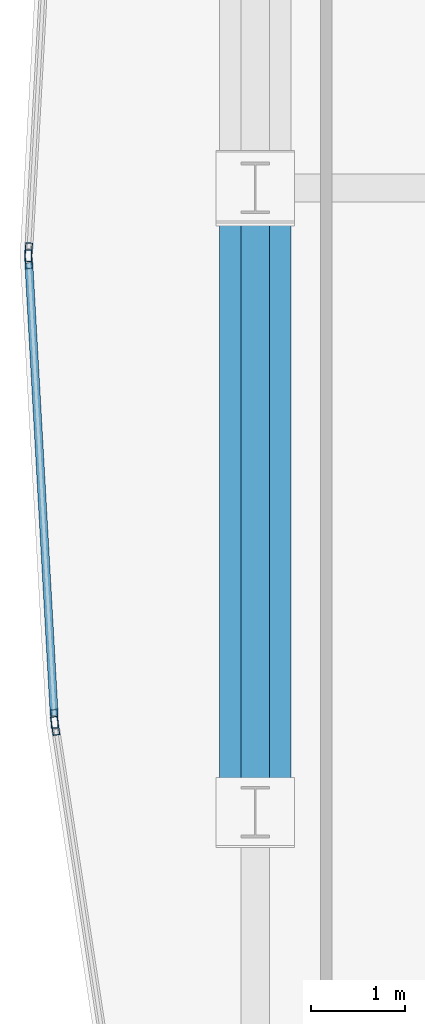
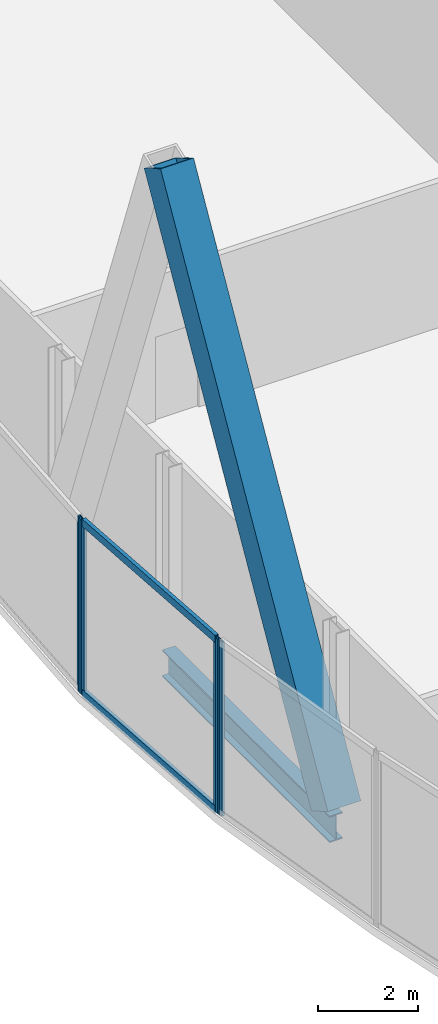
# One storey, part 10 of 32: 7 members, 1 beam, 3 elements without a shape of their own.
"""IFC4 building model written with IfcOpenShell, lengths in metres."""

from ifc_helpers import new_model, si_unit, direction, frame, origin, origin_2d, place, context, subcontext, project, spatial, hollow_rectangle, i_section, extrude, material, material_profile, profile_set, type_object, element, aggregate, save


model = new_model("IFC4")

# Units and contexts
model_context = context("Model", 3, precision=1e-05, world=origin(), true_north=direction((0.0, 1.0)))
body_context = subcontext(model_context, "Body", "Model", "MODEL_VIEW")
ifc_project = project(units=[si_unit("LENGTHUNIT", "METRE"), si_unit("AREAUNIT", "SQUARE_METRE"), si_unit("VOLUMEUNIT", "CUBIC_METRE"), si_unit("PLANEANGLEUNIT", "RADIAN"), si_unit("MASSUNIT", "GRAM", prefix="KILO")], contexts=[model_context])

# Site, building, storey
site_placement = place(None, origin())
site = spatial("IfcSite", under=ifc_project, at=site_placement, CompositionType="ELEMENT")
building_placement = place(site_placement, origin())
building = spatial("IfcBuilding", under=site, at=building_placement, Name="Khoronbel Lancet Exchange", CompositionType="ELEMENT")
storey_placement = place(building_placement, frame((0.0, 0.0, 106.60009765625)))
storey = spatial("IfcBuildingStorey", under=building, at=storey_placement, Name="L25", CompositionType="ELEMENT", Elevation=106.60009765625)

# Beam
ifc_material_1 = material(Name="Steel S355", Category="steel")
ifc_material_profile_1 = material_profile(ifc_material_1, i_section(OverallWidth=0.300048828125, OverallDepth=0.64990234375, WebThickness=0.01611328125, FlangeThickness=0.031005859375, at=origin_2d()), Name="HEB 650")
ifc_profile_set_1 = profile_set([ifc_material_profile_1], Name="Steel S355")
beam_type = type_object("IfcBeamType", Name="BM-BSP1", PredefinedType="SPANDREL", material=ifc_profile_set_1)
beam_placement = place(storey_placement, frame((3.27001953125, 31.425048828125, -0.525146484375), z_axis=(0.0, -1.0, 0.0), x_axis=(1.0, 0.0, 0.0)))
element("IfcBeam", 1, at=beam_placement, inside=storey, type_object=beam_type, Name="Level L25 perimeter spandrel beam SP19", PredefinedType="SPANDREL", context=body_context, shape_type="SweptSolid", body=[
    extrude(i_section(OverallWidth=0.300048828125, OverallDepth=0.64990234375, WebThickness=0.01611328125, FlangeThickness=0.031005859375, at=origin_2d()), origin(), (0.0, 0.0, 1.0), 6.675048828125),
])

# Curtain wall, member
ifc_material_2 = material(Name="Low-E Solar Control Insulating Glass", Category="glass")
curtain_wall_type = type_object("IfcCurtainWallType", Name="CW-4", PredefinedType="NOTDEFINED", material=ifc_material_2)
curtain_wall_1_placement = place(storey_placement, origin())
curtain_wall_1 = element("IfcCurtainWall", 2, at=curtain_wall_1_placement, inside=storey, type_object=curtain_wall_type, Name="Unitised curtain wall CW-L25-E05", PredefinedType="NOTDEFINED")
ifc_material_3 = material(Name="Bronze-Anodised Aluminium 6063-T6", Category="aluminium")
ifc_material_profile_2 = material_profile(ifc_material_3, hollow_rectangle(XDim=0.074951171875, YDim=0.199951171875, WallThickness=0.0048828125, at=origin_2d()), Name="ALU MULLION 75x200")
ifc_profile_set_2 = profile_set([ifc_material_profile_2], Name="Bronze-Anodised Aluminium 6063-T6")
member_type_1 = type_object("IfcMemberType", Name="MEM-CWM2", PredefinedType="MULLION", material=ifc_profile_set_2)
member_1_placement = place(storey_placement, frame((1.1298828125, 25.67236328125, 0.0), z_axis=(0.0, 0.0, 1.0), x_axis=(-0.988428154064, -0.151689763181, 0.0)))
member_1 = element("IfcMember", 3, at=member_1_placement, type_object=member_type_1, Name="CW4 mullion 2", PredefinedType="MULLION", context=body_context, shape_type="SweptSolid", body=[
    extrude(hollow_rectangle(XDim=0.074951171875, YDim=0.199951171875, WallThickness=0.0048828125, at=origin_2d()), origin(), (0.0, 0.0, 1.0), 4.239990234375),
])
aggregate(curtain_wall_1, [member_1])

# Curtain wall, members
curtain_wall_2_placement = place(storey_placement, origin())
curtain_wall_2 = element("IfcCurtainWall", 4, at=curtain_wall_2_placement, inside=storey, type_object=curtain_wall_type, Name="Unitised curtain wall CW-L25-E06", PredefinedType="NOTDEFINED")
member_2_placement = place(storey_placement, frame((1.1220703125, 25.746826171875, 0.0), z_axis=(0.0, 0.0, 1.0), x_axis=(-0.998426435144, -0.056077211104, 0.0)))
member_2 = element("IfcMember", 5, at=member_2_placement, type_object=member_type_1, Name="CW4 mullion 1", PredefinedType="MULLION", context=body_context, shape_type="SweptSolid", body=[
    extrude(hollow_rectangle(XDim=0.074951171875, YDim=0.199951171875, WallThickness=0.0048828125, at=origin_2d()), origin(), (0.0, 0.0, 1.0), 4.239990234375),
])
member_3_placement = place(storey_placement, frame((0.845947265625, 30.66259765625, 0.0), z_axis=(0.0, 0.0, 1.0), x_axis=(-0.998426435144, -0.056077211104, 0.0)))
member_3 = element("IfcMember", 6, at=member_3_placement, type_object=member_type_1, Name="CW4 mullion 2", PredefinedType="MULLION", context=body_context, shape_type="SweptSolid", body=[
    extrude(hollow_rectangle(XDim=0.074951171875, YDim=0.199951171875, WallThickness=0.0048828125, at=origin_2d()), origin(), (0.0, 0.0, 1.0), 4.239990234375),
])

# Curtain wall, member
curtain_wall_3_placement = place(storey_placement, origin())
curtain_wall_3 = element("IfcCurtainWall", 7, at=curtain_wall_3_placement, inside=storey, type_object=curtain_wall_type, Name="Unitised curtain wall CW-L25-E07", PredefinedType="NOTDEFINED")
member_4_placement = place(storey_placement, frame((0.845947265625, 30.737548828125, 0.0), z_axis=(0.0, 0.0, 1.0), x_axis=(-0.998426435144, 0.056077211104, 0.0)))
member_4 = element("IfcMember", 8, at=member_4_placement, type_object=member_type_1, Name="CW4 mullion 1", PredefinedType="MULLION", context=body_context, shape_type="SweptSolid", body=[
    extrude(hollow_rectangle(XDim=0.074951171875, YDim=0.199951171875, WallThickness=0.0048828125, at=origin_2d()), origin(), (0.0, 0.0, 1.0), 4.239990234375),
])
aggregate(curtain_wall_3, [member_4])

# Member
ifc_material_profile_3 = material_profile(ifc_material_3, hollow_rectangle(XDim=0.0849609375, YDim=0.179931640625, WallThickness=0.0048828125, at=origin_2d()), Name="ALU TRANSOM 85x180")
ifc_profile_set_3 = profile_set([ifc_material_profile_3], Name="Bronze-Anodised Aluminium 6063-T6")
member_type_2 = type_object("IfcMemberType", Name="MEM-CWT1", PredefinedType="USERDEFINED", material=ifc_profile_set_3)
member_5_placement = place(storey_placement, frame((1.119873046875, 25.7841796875, 0.04248046875), z_axis=(-0.056044516116, 0.998428270941, 0.0), x_axis=(-0.998428270941, -0.056044516116, 0.0)))
member_5 = element("IfcMember", 9, at=member_5_placement, type_object=member_type_2, Name="CW4 transom 1.1", ObjectType="TRANSOM", PredefinedType="USERDEFINED", context=body_context, shape_type="SweptSolid", body=[
    extrude(hollow_rectangle(XDim=0.0849609375, YDim=0.179931640625, WallThickness=0.0048828125, at=origin_2d()), origin(), (0.0, 0.0, 1.0), 4.848388671875),
])

member_6_placement = place(storey_placement, frame((1.119873046875, 25.7841796875, 4.197509765625), z_axis=(-0.056044516116, 0.998428270941, 0.0), x_axis=(-0.998428270941, -0.056044516116, 0.0)))
member_6 = element("IfcMember", 10, at=member_6_placement, type_object=member_type_2, Name="CW4 transom 1.2", ObjectType="TRANSOM", PredefinedType="USERDEFINED", context=body_context, shape_type="SweptSolid", body=[
    extrude(hollow_rectangle(XDim=0.0849609375, YDim=0.179931640625, WallThickness=0.0048828125, at=origin_2d()), origin(), (0.0, 0.0, 1.0), 4.848388671875),
])

aggregate(curtain_wall_2, [member_2, member_3, member_5, member_6])

ifc_material_4 = material(Name="Steel S460", Category="steel")
ifc_material_profile_4 = material_profile(ifc_material_4, hollow_rectangle(XDim=0.760009765625, YDim=0.760009765625, WallThickness=0.054931640625, at=origin_2d()), Name="BOX 760x760x55")
ifc_profile_set_4 = profile_set([ifc_material_profile_4], Name="Steel S460")
member_type_3 = type_object("IfcMemberType", Name="MEM-MB1", PredefinedType="BRACE", material=ifc_profile_set_4)
member_7_placement = place(storey_placement, frame((3.27001953125, 24.75, 0.0), z_axis=(0.0, 0.498759338511, 0.866740516099), x_axis=(-1.0, 0.0, 0.0)))
element("IfcMember", 11, at=member_7_placement, inside=storey, type_object=member_type_3, Name="Perimeter lancet brace tier 8 W-P-L", PredefinedType="BRACE", context=body_context, shape_type="SweptSolid", body=[
    extrude(hollow_rectangle(XDim=0.760009765625, YDim=0.760009765625, WallThickness=0.054931640625, at=origin_2d()), origin(), (0.0, 0.0, 1.0), 13.38330078125),
])

save(model, "model.ifc")
